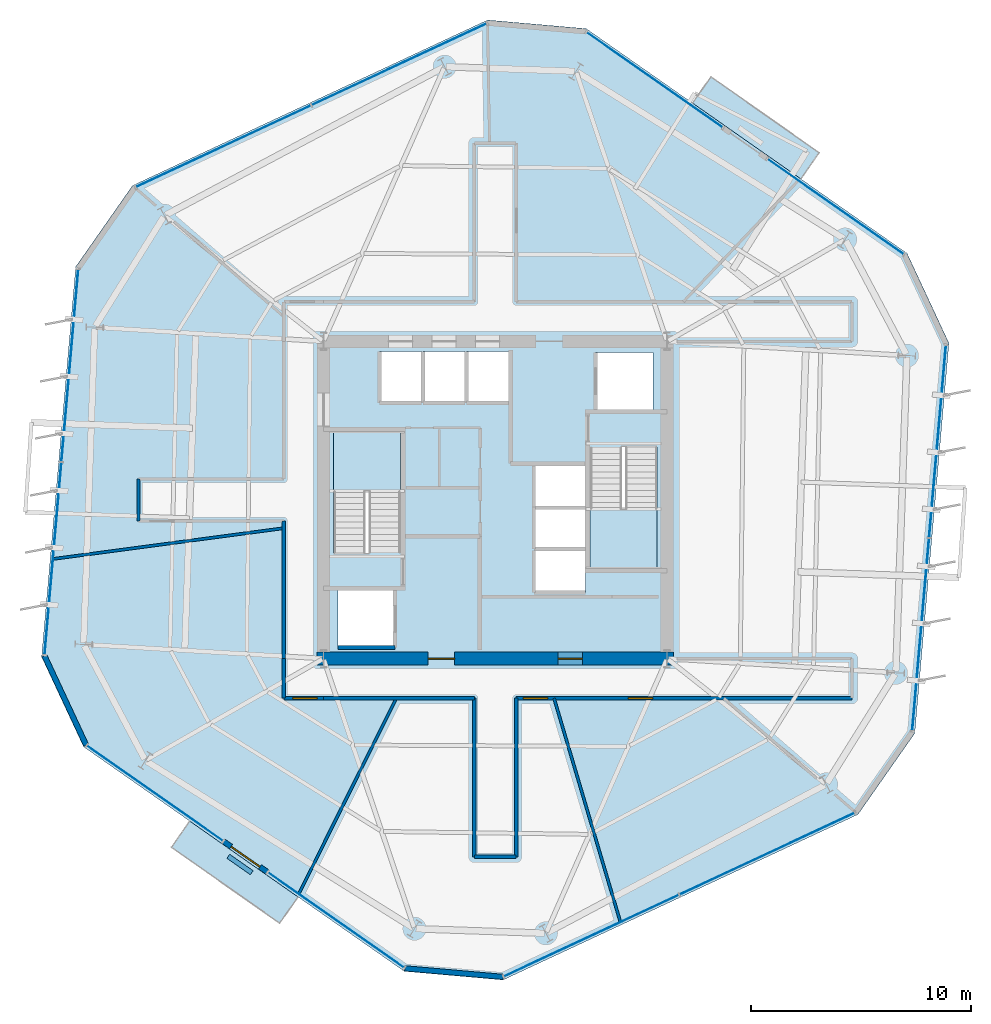
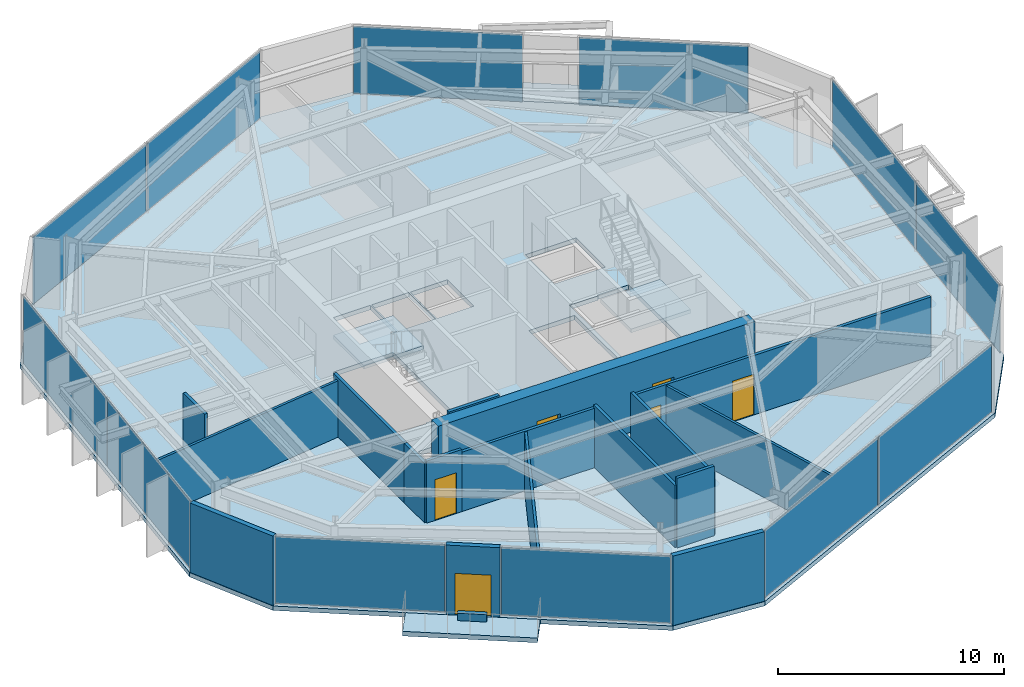
# One storey, part 6 of 12: 18 walls, 12 plates, 6 doors, 5 slabs, 6 openings, 10 elements without a shape of their own.
"""IFC4 building model written with IfcOpenShell, lengths in metres."""

from ifc_helpers import new_model, si_unit, direction, frame, frame_2d, origin, origin_2d, place, context, subcontext, project, spatial, polyline, rectangle, outline, extrude, material, layer, layer_set, type_object, element, fill, aggregate, save


model = new_model("IFC4")

# Units and contexts
model_context = context("Model", 3, precision=1e-05, world=origin(), true_north=direction((0.0, 1.0)))
body_context = subcontext(model_context, "Body", "Model", "MODEL_VIEW")
ifc_project = project(units=[si_unit("LENGTHUNIT", "METRE"), si_unit("AREAUNIT", "SQUARE_METRE"), si_unit("VOLUMEUNIT", "CUBIC_METRE"), si_unit("PLANEANGLEUNIT", "RADIAN"), si_unit("MASSUNIT", "GRAM", prefix="KILO")], contexts=[model_context])

# Site, building, storey
site_placement = place(None, origin())
site = spatial("IfcSite", under=ifc_project, at=site_placement, CompositionType="ELEMENT")
building_placement = place(site_placement, origin())
building = spatial("IfcBuilding", under=site, at=building_placement, Name="Kranzbogen Civic Tower", CompositionType="ELEMENT")
storey_placement = place(building_placement, frame((0.0, 0.0, 122.39990234375)))
storey = spatial("IfcBuildingStorey", under=building, at=storey_placement, Name="L29", CompositionType="ELEMENT", Elevation=122.39990234375)

# Slab
ifc_material_1 = material(Name="Concrete C40/50", Category="concrete")
ifc_layer_1 = layer(ifc_material_1, 0.239990234375, Name="Concrete C40/50")
ifc_layer_set_1 = layer_set([ifc_layer_1], Name="Concrete C40/50")
slab_type_1 = type_object("IfcSlabType", Name="Composite Lower Tower Floor Slab 240 mm", PredefinedType="FLOOR", material=ifc_layer_set_1)
slab_1_placement = place(storey_placement, frame((0.0, 0.0, -0.239990234375)))
element("IfcSlab", 1, at=slab_1_placement, inside=storey, type_object=slab_type_1, Name="L29 tower floor slab", PredefinedType="FLOOR", context=body_context, shape_type="SweptSolid", body=[
    extrude(outline(polyline([(43.697021484375, 36.200927734375), (29.131103515625, 46.40087890625), (24.64794921875, 46.79296875), (8.531982421875, 39.278076171875), (5.950927734375, 35.592041015625), (4.40087890625, 17.876953125), (6.302978515625, 13.799072265625), (20.868896484375, 3.59912109375), (25.35205078125, 3.20703125), (41.468017578125, 10.721923828125), (44.049072265625, 14.407958984375), (45.59912109375, 32.123046875), (43.697021484375, 36.200927734375)]), holes=[polyline([(20.449951171875, 20.89990234375), (20.449951171875, 18.300048828125), (17.85009765625, 18.300048828125), (17.85009765625, 20.89990234375), (20.449951171875, 20.89990234375)]), polyline([(29.10009765625, 22.699951171875), (29.10009765625, 20.800048828125), (26.75, 20.800048828125), (26.75, 22.699951171875), (29.10009765625, 22.699951171875)]), polyline([(29.10009765625, 24.64990234375), (29.10009765625, 22.77490234375), (26.75, 22.77490234375), (26.75, 24.64990234375), (26.75, 24.675048828125), (26.75, 26.550048828125), (29.10009765625, 26.550048828125), (29.10009765625, 24.675048828125), (29.10009765625, 24.64990234375)]), polyline([(30.75, 27.340087890625), (30.75, 27.39990234375), (32.35009765625, 27.39990234375), (32.35009765625, 21.89990234375), (29.300048828125, 21.89990234375), (29.300048828125, 27.340087890625), (30.75, 27.340087890625)]), polyline([(19.25, 22.659912109375), (19.25, 22.60009765625), (17.64990234375, 22.60009765625), (17.64990234375, 28.10009765625), (20.699951171875, 28.10009765625), (20.699951171875, 22.659912109375), (19.25, 22.659912109375)]), polyline([(32.14990234375, 31.699951171875), (32.14990234375, 29.10009765625), (29.550048828125, 29.10009765625), (29.550048828125, 31.699951171875), (32.14990234375, 31.699951171875)]), polyline([(21.64990234375, 31.75), (21.64990234375, 29.39990234375), (19.75, 29.39990234375), (19.75, 31.75), (21.64990234375, 31.75)]), polyline([(23.625, 29.39990234375), (21.72509765625, 29.39990234375), (21.72509765625, 31.75), (23.625, 31.75), (23.625, 29.39990234375)]), polyline([(25.60009765625, 29.39990234375), (23.699951171875, 29.39990234375), (23.699951171875, 31.75), (25.60009765625, 31.75), (25.60009765625, 29.39990234375)])]), origin(), (0.0, 0.0, 1.0), 0.239990234375),
])

# Curtain wall, plate
ifc_material_2 = material(Name="Pale Anodised Aluminium", Category="aluminium")
ifc_layer_2 = layer(ifc_material_2, 0.219970703125, Name="Pale Anodised Aluminium")
ifc_layer_set_2 = layer_set([ifc_layer_2], Name="Pale Anodised Aluminium")
curtain_wall_type = type_object("IfcCurtainWallType", Name="Zone 2 Stick Curtain Wall System CW-03", PredefinedType="USERDEFINED", material=ifc_layer_set_2)
curtain_wall_1_placement = place(storey_placement, origin())
curtain_wall_1 = element("IfcCurtainWall", 2, at=curtain_wall_1_placement, inside=storey, type_object=curtain_wall_type, Name="L29 curtain wall CW-L29-F1-S1", ObjectType="STICK CURTAIN WALL", PredefinedType="USERDEFINED")
ifc_material_3 = material(Name="Low-E Triple Glazing Glass", Category="glass")
ifc_layer_3 = layer(ifc_material_3, 0.031982421875, Name="Low-E Triple Glazing Glass")
ifc_layer_set_3 = layer_set([ifc_layer_3], Name="Low-E Triple Glazing Glass")
plate_type = type_object("IfcPlateType", Name="Insulated Low-E Glazing Panel 32 mm", PredefinedType="CURTAIN_PANEL", material=ifc_layer_set_3)
plate_1_placement = place(storey_placement, frame((40.450439453125, 38.318603515625, 0.06005859375), z_axis=(0.0, 0.0, 1.0), x_axis=(-0.819114974608, 0.573629373701, 0.0)))
plate_1 = element("IfcPlate", 3, at=plate_1_placement, type_object=plate_type, Name="CW-03 panel 1.1", PredefinedType="CURTAIN_PANEL", context=body_context, shape_type="SweptSolid", body=[
    extrude(rectangle(XDim=7.513916015625, YDim=0.028076171875, at=origin_2d()), origin(), (0.0, 0.0, 1.0), 3.639892578125),
])
aggregate(curtain_wall_1, [plate_1])

curtain_wall_2_placement = place(storey_placement, origin())
curtain_wall_2 = element("IfcCurtainWall", 4, at=curtain_wall_2_placement, inside=storey, type_object=curtain_wall_type, Name="L29 curtain wall CW-L29-F1-S2", ObjectType="STICK CURTAIN WALL", PredefinedType="USERDEFINED")
plate_2_placement = place(storey_placement, frame((32.23095703125, 44.073974609375, 0.06005859375), z_axis=(0.0, 0.0, 1.0), x_axis=(-0.819096531052, 0.573655709305, 0.0)))
plate_2 = element("IfcPlate", 5, at=plate_2_placement, type_object=plate_type, Name="CW-03 panel 1.1", PredefinedType="CURTAIN_PANEL", context=body_context, shape_type="SweptSolid", body=[
    extrude(rectangle(XDim=7.51513671875, YDim=0.028076171875, at=origin_2d()), origin(), (0.0, 0.0, 1.0), 3.639892578125),
])
aggregate(curtain_wall_2, [plate_2])

# Curtain wall, plates
curtain_wall_3_placement = place(storey_placement, origin())
curtain_wall_3 = element("IfcCurtainWall", 6, at=curtain_wall_3_placement, inside=storey, type_object=curtain_wall_type, Name="L29 curtain wall CW-L29-F2", ObjectType="STICK CURTAIN WALL", PredefinedType="USERDEFINED")
plate_3_placement = place(storey_placement, frame((20.63330078125, 44.780029296875, 0.06005859375), z_axis=(0.0, 0.0, 1.0), x_axis=(-0.906297342068, -0.422640660325, 0.0)))
plate_3 = element("IfcPlate", 7, at=plate_3_placement, type_object=plate_type, Name="CW-03 panel 1.1", PredefinedType="CURTAIN_PANEL", context=body_context, shape_type="SweptSolid", body=[
    extrude(rectangle(XDim=8.74365234375, YDim=0.028076171875, at=origin_2d()), origin(), (0.0, 0.0, 1.0), 3.639892578125),
])
plate_4_placement = place(storey_placement, frame((12.654541015625, 41.05908203125, 0.06005859375), z_axis=(0.0, 0.0, 1.0), x_axis=(-0.906297342068, -0.422640660325, 0.0)))
plate_4 = element("IfcPlate", 8, at=plate_4_placement, type_object=plate_type, Name="CW-03 panel 2.1", PredefinedType="CURTAIN_PANEL", context=body_context, shape_type="SweptSolid", body=[
    extrude(rectangle(XDim=8.74365234375, YDim=0.028076171875, at=origin_2d()), origin(), (0.0, 0.0, 1.0), 3.639892578125),
])
aggregate(curtain_wall_3, [plate_3, plate_4])

curtain_wall_4_placement = place(storey_placement, origin())
curtain_wall_4 = element("IfcCurtainWall", 9, at=curtain_wall_4_placement, inside=storey, type_object=curtain_wall_type, Name="L29 curtain wall CW-L29-F3", ObjectType="STICK CURTAIN WALL", PredefinedType="USERDEFINED")
plate_5_placement = place(storey_placement, frame((5.686767578125, 31.10888671875, 0.06005859375), z_axis=(0.0, 0.0, 1.0), x_axis=(-0.087162035526, -0.996194147525, 0.0)))
plate_5 = element("IfcPlate", 10, at=plate_5_placement, type_object=plate_type, Name="CW-03 panel 1.1", PredefinedType="CURTAIN_PANEL", context=body_context, shape_type="SweptSolid", body=[
    extrude(rectangle(XDim=8.744140625, YDim=0.028076171875, at=origin_2d()), origin(), (0.0, 0.0, 1.0), 3.639892578125),
])
plate_6_placement = place(storey_placement, frame((4.919189453125, 22.338134765625, 0.06005859375), z_axis=(0.0, 0.0, 1.0), x_axis=(-0.087162035526, -0.996194147525, 0.0)))
plate_6 = element("IfcPlate", 11, at=plate_6_placement, type_object=plate_type, Name="CW-03 panel 2.1", PredefinedType="CURTAIN_PANEL", context=body_context, shape_type="SweptSolid", body=[
    extrude(rectangle(XDim=8.744140625, YDim=0.028076171875, at=origin_2d()), origin(), (0.0, 0.0, 1.0), 3.639892578125),
])
aggregate(curtain_wall_4, [plate_5, plate_6])

# Curtain wall, plate
curtain_wall_5_placement = place(storey_placement, origin())
curtain_wall_5 = element("IfcCurtainWall", 12, at=curtain_wall_5_placement, inside=storey, type_object=curtain_wall_type, Name="L29 curtain wall CW-L29-F4-S1", ObjectType="STICK CURTAIN WALL", PredefinedType="USERDEFINED")
plate_7_placement = place(storey_placement, frame((9.549560546875, 11.681396484375, 0.06005859375), z_axis=(0.0, 0.0, 1.0), x_axis=(0.819114974608, -0.573629373701, 0.0)))
plate_7 = element("IfcPlate", 13, at=plate_7_placement, type_object=plate_type, Name="CW-03 panel 1.1", PredefinedType="CURTAIN_PANEL", context=body_context, shape_type="SweptSolid", body=[
    extrude(rectangle(XDim=7.513916015625, YDim=0.028076171875, at=origin_2d()), origin(), (0.0, 0.0, 1.0), 3.639892578125),
])
aggregate(curtain_wall_5, [plate_7])

curtain_wall_6_placement = place(storey_placement, origin())
curtain_wall_6 = element("IfcCurtainWall", 14, at=curtain_wall_6_placement, inside=storey, type_object=curtain_wall_type, Name="L29 curtain wall CW-L29-F4-S2", ObjectType="STICK CURTAIN WALL", PredefinedType="USERDEFINED")
plate_8_placement = place(storey_placement, frame((17.76904296875, 5.926025390625, 0.06005859375), z_axis=(0.0, 0.0, 1.0), x_axis=(0.819096531052, -0.573655709305, 0.0)))
plate_8 = element("IfcPlate", 15, at=plate_8_placement, type_object=plate_type, Name="CW-03 panel 1.1", PredefinedType="CURTAIN_PANEL", context=body_context, shape_type="SweptSolid", body=[
    extrude(rectangle(XDim=7.51513671875, YDim=0.028076171875, at=origin_2d()), origin(), (0.0, 0.0, 1.0), 3.639892578125),
])
aggregate(curtain_wall_6, [plate_8])

# Curtain wall, plates
curtain_wall_7_placement = place(storey_placement, origin())
curtain_wall_7 = element("IfcCurtainWall", 16, at=curtain_wall_7_placement, inside=storey, type_object=curtain_wall_type, Name="L29 curtain wall CW-L29-F5", ObjectType="STICK CURTAIN WALL", PredefinedType="USERDEFINED")
plate_9_placement = place(storey_placement, frame((29.36669921875, 5.219970703125, 0.06005859375), z_axis=(0.0, 0.0, 1.0), x_axis=(0.906297342068, 0.422640660325, 0.0)))
plate_9 = element("IfcPlate", 17, at=plate_9_placement, type_object=plate_type, Name="CW-03 panel 1.1", PredefinedType="CURTAIN_PANEL", context=body_context, shape_type="SweptSolid", body=[
    extrude(rectangle(XDim=8.74365234375, YDim=0.028076171875, at=origin_2d()), origin(), (0.0, 0.0, 1.0), 3.639892578125),
])
plate_10_placement = place(storey_placement, frame((37.345458984375, 8.94091796875, 0.06005859375), z_axis=(0.0, 0.0, 1.0), x_axis=(0.906297342068, 0.422640660325, 0.0)))
plate_10 = element("IfcPlate", 18, at=plate_10_placement, type_object=plate_type, Name="CW-03 panel 2.1", PredefinedType="CURTAIN_PANEL", context=body_context, shape_type="SweptSolid", body=[
    extrude(rectangle(XDim=8.74365234375, YDim=0.028076171875, at=origin_2d()), origin(), (0.0, 0.0, 1.0), 3.639892578125),
])
aggregate(curtain_wall_7, [plate_9, plate_10])

curtain_wall_8_placement = place(storey_placement, origin())
curtain_wall_8 = element("IfcCurtainWall", 19, at=curtain_wall_8_placement, inside=storey, type_object=curtain_wall_type, Name="L29 curtain wall CW-L29-F6", ObjectType="STICK CURTAIN WALL", PredefinedType="USERDEFINED")
plate_11_placement = place(storey_placement, frame((44.313232421875, 18.89111328125, 0.06005859375), z_axis=(0.0, 0.0, 1.0), x_axis=(0.087162035526, 0.996194147525, 0.0)))
plate_11 = element("IfcPlate", 20, at=plate_11_placement, type_object=plate_type, Name="CW-03 panel 1.1", PredefinedType="CURTAIN_PANEL", context=body_context, shape_type="SweptSolid", body=[
    extrude(rectangle(XDim=8.744140625, YDim=0.028076171875, at=origin_2d()), origin(), (0.0, 0.0, 1.0), 3.639892578125),
])
plate_12_placement = place(storey_placement, frame((45.080810546875, 27.661865234375, 0.06005859375), z_axis=(0.0, 0.0, 1.0), x_axis=(0.087162035526, 0.996194147525, 0.0)))
plate_12 = element("IfcPlate", 21, at=plate_12_placement, type_object=plate_type, Name="CW-03 panel 2.1", PredefinedType="CURTAIN_PANEL", context=body_context, shape_type="SweptSolid", body=[
    extrude(rectangle(XDim=8.744140625, YDim=0.028076171875, at=origin_2d()), origin(), (0.0, 0.0, 1.0), 3.639892578125),
])
aggregate(curtain_wall_8, [plate_11, plate_12])

# Stair, slab
ifc_material_4 = material(Name="Precast concrete C40/50", Category="concrete")
stair_type_1 = type_object("IfcStairType", Name="Tower Core Pressurized Dogleg Stair 1450", PredefinedType="HALF_TURN_STAIR", material=ifc_material_4)
stair_1_placement = place(storey_placement, origin())
stair_1 = element("IfcStair", 22, at=stair_1_placement, inside=storey, type_object=stair_type_1, Name="L29 Tower Core Pressurized Stair 1", PredefinedType="HALF_TURN_STAIR")
ifc_layer_4 = layer(ifc_material_4, 0.199951171875, Name="Precast concrete C40/50")
ifc_layer_set_4 = layer_set([ifc_layer_4], Name="Precast concrete C40/50")
slab_type_2 = type_object("IfcSlabType", Name="Precast Concrete Stair Landing Slab 200 mm", PredefinedType="LANDING", material=ifc_layer_set_4)
slab_2_placement = place(storey_placement, frame((0.0, 0.0, 1.800048828125)))
slab_2 = element("IfcSlab", 23, at=slab_2_placement, type_object=slab_type_2, Name="ST-T1 landing 1", PredefinedType="LANDING", context=body_context, shape_type="SweptSolid", body=[
    extrude(outline(polyline([(20.699951171875, 25.39990234375), (20.699951171875, 28.10009765625), (17.64990234375, 28.10009765625), (17.64990234375, 25.39990234375), (20.699951171875, 25.39990234375)])), origin(), (0.0, 0.0, 1.0), 0.199951171875),
])
aggregate(stair_1, [slab_2])

stair_type_2 = type_object("IfcStairType", Name="Tower Core Secondary Dogleg Stair 1450", PredefinedType="HALF_TURN_STAIR", material=ifc_material_4)
stair_2_placement = place(storey_placement, origin())
stair_2 = element("IfcStair", 24, at=stair_2_placement, inside=storey, type_object=stair_type_2, Name="L29 Tower Core Pressurized Stair 2", PredefinedType="HALF_TURN_STAIR")
slab_3_placement = place(storey_placement, frame((0.0, 0.0, 1.800048828125)))
slab_3 = element("IfcSlab", 25, at=slab_3_placement, type_object=slab_type_2, Name="ST-T2 landing 1", PredefinedType="LANDING", context=body_context, shape_type="SweptSolid", body=[
    extrude(outline(polyline([(29.300048828125, 24.60009765625), (29.300048828125, 21.89990234375), (32.35009765625, 21.89990234375), (32.35009765625, 24.60009765625), (29.300048828125, 24.60009765625)])), origin(), (0.0, 0.0, 1.0), 0.199951171875),
])
aggregate(stair_2, [slab_3])

# Slabs
ifc_layer_5 = layer(ifc_material_1, 0.25, Name="Concrete C40/50")
ifc_layer_set_5 = layer_set([ifc_layer_5], Name="Concrete C40/50")
slab_type_3 = type_object("IfcSlabType", Name="Tree Balcony Cantilevered Slab 250 mm", PredefinedType="FLOOR", material=ifc_layer_set_5)
slab_4_placement = place(storey_placement, frame((0.0, 0.0, -0.25)))
element("IfcSlab", 26, at=slab_4_placement, inside=storey, type_object=slab_type_3, Name="L29 cantilevered tree balcony L29-TB1", PredefinedType="FLOOR", context=body_context, shape_type="SweptSolid", body=[
    extrude(outline(polyline([(38.8720703125, 39.580078125), (33.95703125, 43.02197265625), (34.7890625, 44.2099609375), (39.7041015625, 40.76806640625), (38.8720703125, 39.580078125)])), origin(), (0.0, 0.0, 1.0), 0.25),
])
slab_5_placement = place(storey_placement, frame((0.0, 0.0, -0.25)))
element("IfcSlab", 27, at=slab_5_placement, inside=storey, type_object=slab_type_3, Name="L29 cantilevered tree balcony L29-TB2", PredefinedType="FLOOR", context=body_context, shape_type="SweptSolid", body=[
    extrude(outline(polyline([(11.1279296875, 10.419921875), (16.04296875, 6.97802734375), (15.2109375, 5.7900390625), (10.2958984375, 9.23193359375), (11.1279296875, 10.419921875)])), origin(), (0.0, 0.0, 1.0), 0.25),
])

# Wall, opening, door
ifc_material_5 = material(Name="Double-Stud Acoustic Gypsum Partition")
ifc_layer_6 = layer(ifc_material_5, 0.14990234375, Name="Double-Stud Acoustic Gypsum Partition")
ifc_layer_set_6 = layer_set([ifc_layer_6], Name="Double-Stud Acoustic Gypsum Partition")
wall_type_1 = type_object("IfcWallType", Name="Acoustic Corridor and Clinical Partition 150 mm", PredefinedType="PARTITIONING", material=ifc_layer_set_6)
wall_1_placement = place(storey_placement, frame((17.199951171875, 16.0, 0.0), z_axis=(0.0, 0.0, 1.0), x_axis=(-1.0, 0.0, 0.0)))
wall_1 = element("IfcWall", 28, at=wall_1_placement, inside=storey, type_object=wall_type_1, Name="L29 corridor partition 01", PredefinedType="PARTITIONING", context=body_context, shape_type="SweptSolid", body=[
    extrude(rectangle(XDim=1.800048828125, YDim=0.14990234375, at=frame_2d((0.89990234375, 0.0))), origin(), (0.0, 0.0, 1.0), 3.360107421875),
])
opening_1_placement = place(wall_1_placement, frame((0.287109375, 0.0, 0.0)))
opening_1 = element("IfcOpeningElement", 29, at=opening_1_placement, cuts=wall_1, Name="Opening D-COR60", PredefinedType="OPENING", context=body_context, shape_type="SweptSolid", body=[
    extrude(rectangle(XDim=1.10009765625, YDim=2.199951171875, at=frame_2d((0.550048828125, 1.10009765625))), frame((0.0, 0.0849609375, 0.0), z_axis=(0.0, -1.0, 0.0), x_axis=(1.0, 0.0, 0.0)), (0.0, 0.0, 1.0), 0.169921875),
])
ifc_material_6 = material(Name="Oak Timber and Fire Core", Category="wood")
door_type_1 = type_object("IfcDoorType", Name="Corridor Acoustic Fire Door 1100x2200", OperationType="NOTDEFINED", PredefinedType="DOOR", material=ifc_material_6)
door_1_placement = place(opening_1_placement, origin())
door_1 = element("IfcDoor", 30, at=door_1_placement, inside=storey, type_object=door_type_1, Name="L29 Executive Briefing Conference Room door", OperationType="SINGLE_SWING_RIGHT", OverallHeight=2.199951171875, OverallWidth=1.10009765625, PredefinedType="DOOR", context=body_context, shape_type="SweptSolid", body=[
    extrude(rectangle(XDim=1.10009765625, YDim=2.199951171875, at=frame_2d((0.550048828125, 1.10009765625))), frame((0.0, 0.02490234375, 0.0), z_axis=(0.0, -1.0, 0.0), x_axis=(1.0, 0.0, 0.0)), (0.0, 0.0, 1.0), 0.050048828125),
])
fill(opening_1, door_1)

# Walls
wall_2_placement = place(storey_placement, frame((15.39990234375, 16.0, 0.0), z_axis=(0.0, 0.0, 1.0), x_axis=(0.0, 1.0, 0.0)))
element("IfcWall", 31, at=wall_2_placement, inside=storey, type_object=wall_type_1, Name="L29 corridor partition 02", PredefinedType="PARTITIONING", context=body_context, shape_type="SweptSolid", body=[
    extrude(rectangle(XDim=1.800048828125, YDim=0.14990234375, at=frame_2d((0.89990234375, 0.0))), origin(), (0.0, 0.0, 1.0), 3.210205078125),
])
wall_3_placement = place(storey_placement, frame((15.39990234375, 17.800048828125, 0.0), z_axis=(0.0, 0.0, 1.0), x_axis=(0.0, 1.0, 0.0)))
element("IfcWall", 32, at=wall_3_placement, inside=storey, type_object=wall_type_1, Name="L29 corridor partition 03", PredefinedType="PARTITIONING", context=body_context, shape_type="SweptSolid", body=[
    extrude(rectangle(XDim=6.25, YDim=0.14990234375, at=frame_2d((3.125, 0.0))), origin(), (0.0, 0.0, 1.0), 3.210205078125),
])
wall_4_placement = place(storey_placement, frame((8.800048828125, 24.050048828125, 0.0), z_axis=(0.0, 0.0, 1.0), x_axis=(0.0, 1.0, 0.0)))
element("IfcWall", 33, at=wall_4_placement, inside=storey, type_object=wall_type_1, Name="L29 corridor partition 05", PredefinedType="PARTITIONING", context=body_context, shape_type="SweptSolid", body=[
    extrude(rectangle(XDim=1.89990234375, YDim=0.14990234375, at=frame_2d((0.949951171875, 0.0))), origin(), (0.0, 0.0, 1.0), 3.300048828125),
])

# Wall, openings, doors
wall_5_placement = place(storey_placement, frame((41.199951171875, 16.0, 0.0), z_axis=(0.0, 0.0, 1.0), x_axis=(-1.0, 0.0, 0.0)))
wall_5 = element("IfcWall", 34, at=wall_5_placement, inside=storey, type_object=wall_type_1, Name="L29 corridor partition 19", PredefinedType="PARTITIONING", context=body_context, shape_type="SweptSolid", body=[
    extrude(rectangle(XDim=15.25, YDim=0.14990234375, at=frame_2d((7.625, 0.0))), origin(), (0.0, 0.0, 1.0), 3.210205078125),
])
opening_2_placement = place(wall_5_placement, frame((13.819091796875, 0.0, 0.0)))
opening_2 = element("IfcOpeningElement", 35, at=opening_2_placement, cuts=wall_5, Name="Opening D-COR60", PredefinedType="OPENING", context=body_context, shape_type="SweptSolid", body=[
    extrude(rectangle(XDim=1.10009765625, YDim=2.199951171875, at=frame_2d((0.550048828125, 1.10009765625))), frame((0.0, 0.0849609375, 0.0), z_axis=(0.0, -1.0, 0.0), x_axis=(1.0, 0.0, 0.0)), (0.0, 0.0, 1.0), 0.169921875),
])
opening_3_placement = place(wall_5_placement, frame((9.053955078125, 0.0, 0.0)))
opening_3 = element("IfcOpeningElement", 36, at=opening_3_placement, cuts=wall_5, Name="Opening D-COR60", PredefinedType="OPENING", context=body_context, shape_type="SweptSolid", body=[
    extrude(rectangle(XDim=1.10009765625, YDim=2.199951171875, at=frame_2d((0.550048828125, 1.10009765625))), frame((0.0, 0.0849609375, 0.0), z_axis=(0.0, -1.0, 0.0), x_axis=(1.0, 0.0, 0.0)), (0.0, 0.0, 1.0), 0.169921875),
])
door_2_placement = place(opening_2_placement, origin())
door_2 = element("IfcDoor", 37, at=door_2_placement, inside=storey, type_object=door_type_1, Name="L29 Parliamentary Review Boardroom door", OperationType="SINGLE_SWING_LEFT", OverallHeight=2.199951171875, OverallWidth=1.10009765625, PredefinedType="DOOR", context=body_context, shape_type="SweptSolid", body=[
    extrude(rectangle(XDim=1.10009765625, YDim=2.199951171875, at=frame_2d((0.550048828125, 1.10009765625))), frame((0.0, 0.02490234375, 0.0), z_axis=(0.0, -1.0, 0.0), x_axis=(1.0, 0.0, 0.0)), (0.0, 0.0, 1.0), 0.050048828125),
])
fill(opening_2, door_2)
door_3_placement = place(opening_3_placement, origin())
door_3 = element("IfcDoor", 38, at=door_3_placement, inside=storey, type_object=door_type_1, Name="L29 Policy Seminar Room door", OperationType="SINGLE_SWING_RIGHT", OverallHeight=2.199951171875, OverallWidth=1.10009765625, PredefinedType="DOOR", context=body_context, shape_type="SweptSolid", body=[
    extrude(rectangle(XDim=1.10009765625, YDim=2.199951171875, at=frame_2d((0.550048828125, 1.10009765625))), frame((0.0, 0.02490234375, 0.0), z_axis=(0.0, -1.0, 0.0), x_axis=(1.0, 0.0, 0.0)), (0.0, 0.0, 1.0), 0.050048828125),
])
fill(opening_3, door_3)

# Walls
wall_6_placement = place(storey_placement, frame((25.949951171875, 16.0, 0.0), z_axis=(0.0, 0.0, 1.0), x_axis=(0.0, -1.0, 0.0)))
element("IfcWall", 39, at=wall_6_placement, inside=storey, type_object=wall_type_1, Name="L29 corridor partition 20", PredefinedType="PARTITIONING", context=body_context, shape_type="SweptSolid", body=[
    extrude(rectangle(XDim=7.199951171875, YDim=0.14990234375, at=frame_2d((3.60009765625, 0.0))), origin(), (0.0, 0.0, 1.0), 3.360107421875),
])
wall_7_placement = place(storey_placement, frame((25.949951171875, 8.800048828125, 0.0), z_axis=(0.0, 0.0, 1.0), x_axis=(-1.0, 0.0, 0.0)))
element("IfcWall", 40, at=wall_7_placement, inside=storey, type_object=wall_type_1, Name="L29 corridor partition 21", PredefinedType="PARTITIONING", context=body_context, shape_type="SweptSolid", body=[
    extrude(rectangle(XDim=1.89990234375, YDim=0.14990234375, at=frame_2d((0.949951171875, 0.0))), origin(), (0.0, 0.0, 1.0), 3.760009765625),
])
wall_8_placement = place(storey_placement, frame((24.050048828125, 8.800048828125, 0.0), z_axis=(0.0, 0.0, 1.0), x_axis=(0.0, 1.0, 0.0)))
element("IfcWall", 41, at=wall_8_placement, inside=storey, type_object=wall_type_1, Name="L29 corridor partition 22", PredefinedType="PARTITIONING", context=body_context, shape_type="SweptSolid", body=[
    extrude(rectangle(XDim=7.199951171875, YDim=0.14990234375, at=frame_2d((3.60009765625, 0.0))), origin(), (0.0, 0.0, 1.0), 3.360107421875),
])
wall_9_placement = place(storey_placement, frame((24.050048828125, 16.0, 0.0), z_axis=(0.0, 0.0, 1.0), x_axis=(-1.0, 0.0, 0.0)))
element("IfcWall", 42, at=wall_9_placement, inside=storey, type_object=wall_type_1, Name="L29 corridor partition 23", PredefinedType="PARTITIONING", context=body_context, shape_type="SweptSolid", body=[
    extrude(rectangle(XDim=6.85009765625, YDim=0.14990234375, at=frame_2d((3.425048828125, 0.0))), origin(), (0.0, 0.0, 1.0), 3.210205078125),
])
ifc_material_7 = material(Name="Insulated Metal-Stud Gypsum Partition")
ifc_layer_7 = layer(ifc_material_7, 0.125, Name="Insulated Metal-Stud Gypsum Partition")
ifc_layer_set_7 = layer_set([ifc_layer_7], Name="Insulated Metal-Stud Gypsum Partition")
wall_type_2 = type_object("IfcWallType", Name="Acoustic Inter-Room Partition 125 mm", PredefinedType="PARTITIONING", material=ifc_layer_set_7)
wall_10_placement = place(storey_placement, frame((15.39990234375, 23.719970703125, 0.0), z_axis=(0.0, 0.0, 1.0), x_axis=(-0.991229920406, -0.132148571283, 0.0)))
element("IfcWall", 43, at=wall_10_placement, inside=storey, type_object=wall_type_2, Name="L29 radial room partition 04", PredefinedType="PARTITIONING", context=body_context, shape_type="SweptSolid", body=[
    extrude(rectangle(XDim=10.556396484375, YDim=0.125, at=frame_2d((5.2783203125, 0.0))), origin(), (0.0, 0.0, 1.0), 3.050048828125),
])
wall_11_placement = place(storey_placement, frame((20.510009765625, 16.0, 0.0), z_axis=(0.0, 0.0, 1.0), x_axis=(-0.446366409245, -0.894850282839, 0.0)))
element("IfcWall", 44, at=wall_11_placement, inside=storey, type_object=wall_type_2, Name="L29 radial room partition 05", PredefinedType="PARTITIONING", context=body_context, shape_type="SweptSolid", body=[
    extrude(rectangle(XDim=9.915771484375, YDim=0.125, at=frame_2d((4.9580078125, 0.0))), origin(), (0.0, 0.0, 1.0), 3.16015625),
])
wall_12_placement = place(storey_placement, frame((27.66796875, 16.0, 0.0), z_axis=(0.0, 0.0, 1.0), x_axis=(0.284232016895, -0.95875552701, 0.0)))
element("IfcWall", 45, at=wall_12_placement, inside=storey, type_object=wall_type_2, Name="L29 radial room partition 06", PredefinedType="PARTITIONING", context=body_context, shape_type="SweptSolid", body=[
    extrude(rectangle(XDim=10.58642578125, YDim=0.125, at=frame_2d((5.293212890625, 0.0))), origin(), (0.0, 0.0, 1.0), 3.16015625),
])
ifc_material_8 = material(Name="Architectural Precast Terracotta Concrete C40/50", Category="masonry")
ifc_layer_8 = layer(ifc_material_8, 0.219970703125, Name="Architectural Precast Terracotta Concrete C40/50")
ifc_layer_set_8 = layer_set([ifc_layer_8], Name="Architectural Precast Terracotta Concrete C40/50")
wall_type_3 = type_object("IfcWallType", Name="Architectural Tree Planter Kerb Wall 220 mm", PredefinedType="USERDEFINED", material=ifc_layer_set_8)
wall_13_placement = place(storey_placement, frame((12.87890625, 8.822998046875, 0.0), z_axis=(0.0, 0.0, 1.0), x_axis=(0.818816934098, -0.574054725993, 0.0)))
element("IfcWall", 46, at=wall_13_placement, inside=storey, type_object=wall_type_3, Name="L29 landscaped tree balcony planter L29-TB2", ObjectType="PLANTER_WALL", PredefinedType="USERDEFINED", context=body_context, shape_type="SweptSolid", body=[
    extrude(rectangle(XDim=1.2998046875, YDim=0.219970703125, at=frame_2d((0.64990234375, 0.0))), origin(), (0.0, 0.0, 1.0), 0.400146484375),
])

# Wall, openings, doors
ifc_material_9 = material(Name="Concrete C55/67", Category="concrete")
ifc_layer_9 = layer(ifc_material_9, 0.60009765625, Name="Concrete C55/67")
ifc_layer_set_9 = layer_set([ifc_layer_9], Name="Concrete C55/67")
wall_type_4 = type_object("IfcWallType", Name="Central Core Shear Wall 600 mm", PredefinedType="SHEAR", material=ifc_layer_set_9)
wall_14_placement = place(storey_placement, frame((16.89990234375, 17.800048828125, 0.0), z_axis=(0.0, 0.0, 1.0), x_axis=(1.0, 0.0, 0.0)))
wall_14 = element("IfcWall", 47, at=wall_14_placement, inside=storey, type_object=wall_type_4, Name="L29 central core South shear wall", PredefinedType="SHEAR", context=body_context, shape_type="SweptSolid", body=[
    extrude(rectangle(XDim=16.2001953125, YDim=0.60009765625, at=frame_2d((8.10009765625, 0.0))), origin(), (0.0, 0.0, 1.0), 3.760009765625),
])
opening_4_placement = place(wall_14_placement, frame((5.050048828125, 0.0, 0.0)))
opening_4 = element("IfcOpeningElement", 48, at=opening_4_placement, cuts=wall_14, Name="Opening D-EX120", PredefinedType="OPENING", context=body_context, shape_type="SweptSolid", body=[
    extrude(rectangle(XDim=1.199951171875, YDim=2.25, at=frame_2d((0.60009765625, 1.125))), frame((0.0, 0.31005859375, 0.0), z_axis=(0.0, -1.0, 0.0), x_axis=(1.0, 0.0, 0.0)), (0.0, 0.0, 1.0), 0.6201171875),
])
opening_5_placement = place(wall_14_placement, frame((10.949951171875, 0.0, 0.0)))
opening_5 = element("IfcOpeningElement", 49, at=opening_5_placement, cuts=wall_14, Name="Opening D-COR60", PredefinedType="OPENING", context=body_context, shape_type="SweptSolid", body=[
    extrude(rectangle(XDim=1.10009765625, YDim=2.199951171875, at=frame_2d((0.550048828125, 1.10009765625))), frame((0.0, 0.31005859375, 0.0), z_axis=(0.0, -1.0, 0.0), x_axis=(1.0, 0.0, 0.0)), (0.0, 0.0, 1.0), 0.6201171875),
])
door_4_placement = place(opening_5_placement, origin())
door_4 = element("IfcDoor", 50, at=door_4_placement, inside=storey, type_object=door_type_1, Name="L29 REC1 archive room door", OperationType="SINGLE_SWING_LEFT", OverallHeight=2.199951171875, OverallWidth=1.10009765625, PredefinedType="DOOR", context=body_context, shape_type="SweptSolid", body=[
    extrude(rectangle(XDim=1.10009765625, YDim=2.199951171875, at=frame_2d((0.550048828125, 1.10009765625))), frame((0.0, 0.02490234375, 0.0), z_axis=(0.0, -1.0, 0.0), x_axis=(1.0, 0.0, 0.0)), (0.0, 0.0, 1.0), 0.050048828125),
])
fill(opening_5, door_4)
ifc_material_10 = material(Name="Steel S355", Category="steel")
door_type_2 = type_object("IfcDoorType", Name="Exit Passageway Fire Door 1200x2250", OperationType="NOTDEFINED", PredefinedType="DOOR", material=ifc_material_10)
door_5_placement = place(opening_4_placement, origin())
door_5 = element("IfcDoor", 51, at=door_5_placement, inside=storey, type_object=door_type_2, Name="L29 West firefighting lobby corridor door", OperationType="SINGLE_SWING_RIGHT", OverallHeight=2.25, OverallWidth=1.199951171875, PredefinedType="DOOR", context=body_context, shape_type="SweptSolid", body=[
    extrude(rectangle(XDim=1.199951171875, YDim=2.25, at=frame_2d((0.60009765625, 1.125))), frame((0.0, 0.02490234375, 0.0), z_axis=(0.0, -1.0, 0.0), x_axis=(1.0, 0.0, 0.0)), (0.0, 0.0, 1.0), 0.050048828125),
])
fill(opening_4, door_5)

# Walls
ifc_material_11 = material(Name="Gypsum Fireboard Shaftliner")
ifc_layer_10 = layer(ifc_material_11, 0.175048828125, Name="Gypsum Fireboard Shaftliner")
ifc_layer_set_10 = layer_set([ifc_layer_10], Name="Gypsum Fireboard Shaftliner")
wall_type_5 = type_object("IfcWallType", Name="Fire-Rated Lift and Service Shaft Wall 175 mm", PredefinedType="PARTITIONING", material=ifc_layer_set_10)
wall_15_placement = place(storey_placement, frame((17.85009765625, 18.300048828125, 0.0), z_axis=(0.0, 0.0, 1.0), x_axis=(1.0, 0.0, 0.0)))
element("IfcWall", 52, at=wall_15_placement, inside=storey, type_object=wall_type_5, Name="L29 lift FF-01 side wall", PredefinedType="PARTITIONING", context=body_context, shape_type="SweptSolid", body=[
    extrude(rectangle(XDim=2.599853515625, YDim=0.175048828125, at=frame_2d((1.2998046875, 0.0))), origin(), (0.0, 0.0, 1.0), 3.760009765625),
])
ifc_layer_11 = layer(ifc_material_2, 0.239990234375, Name="Pale Anodised Aluminium")
ifc_layer_set_11 = layer_set([ifc_layer_11], Name="Pale Anodised Aluminium")
wall_type_6 = type_object("IfcWallType", Name="Insulated Aluminium Facade Portal Wall 240 mm", PredefinedType="STANDARD", material=ifc_layer_set_11)
wall_16_placement = place(storey_placement, frame((4.532958984375, 17.923095703125, 0.0), z_axis=(0.0, 0.0, 1.0), x_axis=(0.422738987368, -0.906251481962, 0.0)))
element("IfcWall", 53, at=wall_16_placement, inside=storey, type_object=wall_type_6, Name="L29 chamfered corner facade spandrel 3", PredefinedType="STANDARD", context=body_context, shape_type="SweptSolid", body=[
    extrude(rectangle(XDim=4.47119140625, YDim=0.239990234375, at=frame_2d((2.235595703125, 0.0))), origin(), (0.0, 0.0, 1.0), 3.760009765625),
])

# Wall, opening, door
wall_17_placement = place(storey_placement, frame((12.676025390625, 9.491943359375, 0.0), z_axis=(0.0, 0.0, 1.0), x_axis=(0.819284492344, -0.573387234428, 0.0)))
wall_17 = element("IfcWall", 54, at=wall_17_placement, inside=storey, type_object=wall_type_6, Name="L29 exterior entrance portal wall 1", PredefinedType="STANDARD", context=body_context, shape_type="SweptSolid", body=[
    extrude(rectangle(XDim=2.399658203125, YDim=0.239990234375, at=frame_2d((1.19970703125, 0.0))), origin(), (0.0, 0.0, 1.0), 3.760009765625),
])
opening_6_placement = place(wall_17_placement, frame((0.39990234375, 0.0, 0.0)))
opening_6 = element("IfcOpeningElement", 55, at=opening_6_placement, cuts=wall_17, Name="Opening D-TER", PredefinedType="OPENING", context=body_context, shape_type="SweptSolid", body=[
    extrude(rectangle(XDim=1.60009765625, YDim=2.25, at=frame_2d((0.800048828125, 1.125))), frame((0.0, 0.1298828125, 0.0), z_axis=(0.0, -1.0, 0.0), x_axis=(1.0, 0.0, 0.0)), (0.0, 0.0, 1.0), 0.260009765625),
])
ifc_material_12 = material(Name="Anodised Bronze and Triple Glass", Category="glass")
door_type_3 = type_object("IfcDoorType", Name="Glazed Terrace and Balcony Double Door 1600x2250", OperationType="DOUBLE_DOOR_SINGLE_SWING", PredefinedType="DOOR", material=ifc_material_12)
door_6_placement = place(opening_6_placement, frame((1.60009765625, 0.0, 0.0), z_axis=(0.0, 0.0, 1.0), x_axis=(-1.0, 0.0, 0.0)))
door_6 = element("IfcDoor", 56, at=door_6_placement, inside=storey, type_object=door_type_3, Name="L29 tree balcony access door L29-TB2", OperationType="DOUBLE_DOOR_SINGLE_SWING", OverallHeight=2.25, OverallWidth=1.60009765625, PredefinedType="DOOR", context=body_context, shape_type="SweptSolid", body=[
    extrude(rectangle(XDim=1.60009765625, YDim=2.25, at=frame_2d((0.800048828125, 1.125))), frame((0.0, 0.02490234375, 0.0), z_axis=(0.0, -1.0, 0.0), x_axis=(1.0, 0.0, 0.0)), (0.0, 0.0, 1.0), 0.050048828125),
])
fill(opening_6, door_6)

# Wall
wall_18_placement = place(storey_placement, frame((20.89599609375, 3.736083984375, 0.0), z_axis=(0.0, 0.0, 1.0), x_axis=(0.996204852099, -0.087039603938, 0.0)))
element("IfcWall", 57, at=wall_18_placement, inside=storey, type_object=wall_type_6, Name="L29 chamfered corner facade spandrel 4", PredefinedType="STANDARD", context=body_context, shape_type="SweptSolid", body=[
    extrude(rectangle(XDim=4.47119140625, YDim=0.239990234375, at=frame_2d((2.235595703125, 0.0))), origin(), (0.0, 0.0, 1.0), 3.760009765625),
])

save(model, "model.ifc")
